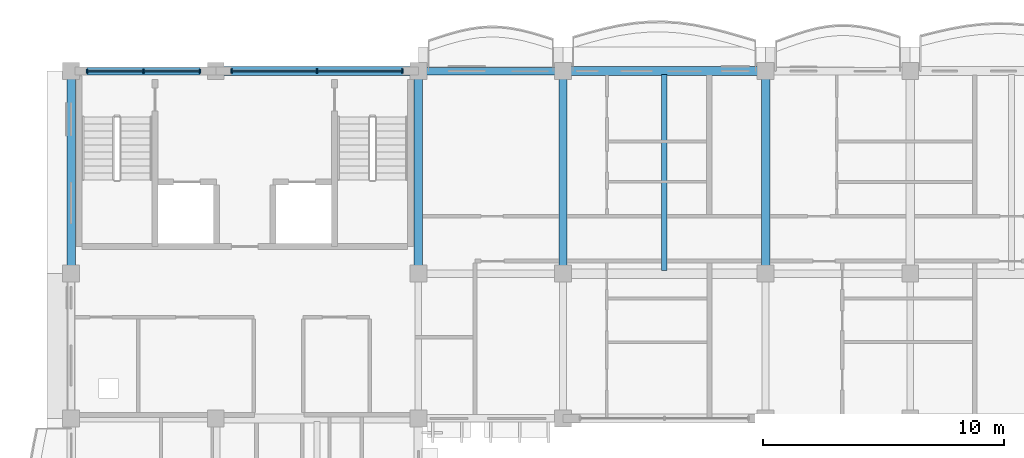
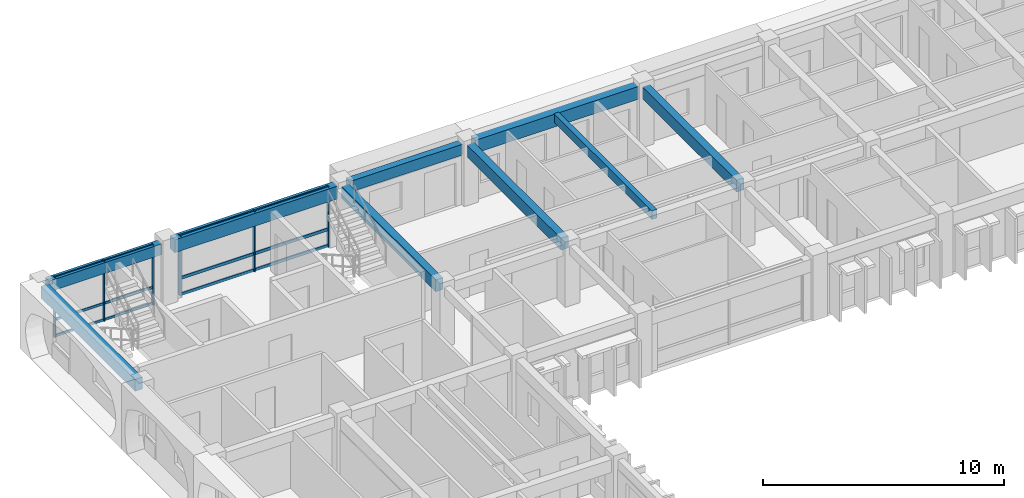
# One storey, part 9 of 76: 12 members, 9 beams, 2 elements without a shape of their own.
"""IFC4 building model written with IfcOpenShell, lengths in metres."""

from ifc_helpers import new_model, si_unit, direction, frame, origin, origin_2d, place, context, subcontext, project, spatial, rectangle, extrude, material, material_profile, profile_set, type_object, element, aggregate, save


model = new_model("IFC4")

# Units and contexts
model_context = context("Model", 3, precision=1e-05, world=origin(), true_north=direction((0.0, 1.0)))
body_context = subcontext(model_context, "Body", "Model", "MODEL_VIEW")
ifc_project = project(units=[si_unit("LENGTHUNIT", "METRE"), si_unit("AREAUNIT", "SQUARE_METRE"), si_unit("VOLUMEUNIT", "CUBIC_METRE"), si_unit("PLANEANGLEUNIT", "RADIAN"), si_unit("MASSUNIT", "GRAM", prefix="KILO"), si_unit("THERMODYNAMICTEMPERATUREUNIT", "KELVIN")], contexts=[model_context])

# Site, building, storey
site_placement = place(None, origin())
site = spatial("IfcSite", under=ifc_project, at=site_placement, CompositionType="ELEMENT")
building_placement = place(site_placement, origin())
building = spatial("IfcBuilding", under=site, at=building_placement, Name="Thalorik Housing Commons", CompositionType="ELEMENT")
storey_placement = place(building_placement, frame((0.0, 0.0, 18.0)))
storey = spatial("IfcBuildingStorey", under=building, at=storey_placement, Name="L05", CompositionType="ELEMENT", Elevation=18.0)

# Curtain wall, members
ifc_material_1 = material(Name="Anodised aluminium and solar-control low-E glass", Category="aluminium")
curtain_wall_type = type_object("IfcCurtainWallType", Name="ARC-CW-CORE", PredefinedType="USERDEFINED", material=ifc_material_1)
curtain_wall_1_placement = place(storey_placement, origin())
curtain_wall_1 = element("IfcCurtainWall", 1, at=curtain_wall_1_placement, inside=storey, type_object=curtain_wall_type, Name="L05 Curtain Wall CW-CORE-L05-A-024", ObjectType="CURTAIN WALL", PredefinedType="USERDEFINED")
ifc_material_2 = material(Name="Anodised aluminium 6063-T6", Category="aluminium")
ifc_material_profile_1 = material_profile(ifc_material_2, rectangle(XDim=0.06005859375, YDim=0.159912109375, at=origin_2d()), Name="ALU MUL 60x160", Category="aluminium")
ifc_profile_set_1 = profile_set([ifc_material_profile_1], Name="Anodised aluminium 6063-T6")
member_type_1 = type_object("IfcMemberType", Name="ARC-CW-MUL-60x160", PredefinedType="MULLION", material=ifc_profile_set_1)
member_1_placement = place(storey_placement, frame((13.75, 123.60009765625, 0.0), z_axis=(0.0, 0.0, 1.0), x_axis=(-1.0, 0.0, 0.0)))
member_1 = element("IfcMember", 2, at=member_1_placement, type_object=member_type_1, Name="CW-CORE-L05-A-024 Mullion 1", PredefinedType="MULLION", context=body_context, shape_type="SweptSolid", body=[
    extrude(rectangle(XDim=0.06005859375, YDim=0.159912109375, at=origin_2d()), origin(), (0.0, 0.0, 1.0), 3.0400390625),
])
member_2_placement = place(storey_placement, frame((11.39990234375, 123.60009765625, 0.0), z_axis=(0.0, 0.0, 1.0), x_axis=(-1.0, 0.0, 0.0)))
member_2 = element("IfcMember", 3, at=member_2_placement, type_object=member_type_1, Name="CW-CORE-L05-A-024 Mullion 2", PredefinedType="MULLION", context=body_context, shape_type="SweptSolid", body=[
    extrude(rectangle(XDim=0.06005859375, YDim=0.159912109375, at=origin_2d()), origin(), (0.0, 0.0, 1.0), 3.0400390625),
])
member_3_placement = place(storey_placement, frame((9.050048828125, 123.60009765625, 0.0), z_axis=(0.0, 0.0, 1.0), x_axis=(-1.0, 0.0, 0.0)))
member_3 = element("IfcMember", 4, at=member_3_placement, type_object=member_type_1, Name="CW-CORE-L05-A-024 Mullion 3", PredefinedType="MULLION", context=body_context, shape_type="SweptSolid", body=[
    extrude(rectangle(XDim=0.06005859375, YDim=0.159912109375, at=origin_2d()), origin(), (0.0, 0.0, 1.0), 3.0400390625),
])

curtain_wall_2_placement = place(storey_placement, origin())
curtain_wall_2 = element("IfcCurtainWall", 5, at=curtain_wall_2_placement, inside=storey, type_object=curtain_wall_type, Name="L05 Curtain Wall CW-CORE-L05-A-023", ObjectType="CURTAIN WALL", PredefinedType="USERDEFINED")
ifc_material_profile_2 = material_profile(ifc_material_2, rectangle(XDim=0.06494140625, YDim=0.179931640625, at=origin_2d()), Name="ALU MUL 65x180", Category="aluminium")
ifc_profile_set_2 = profile_set([ifc_material_profile_2], Name="Anodised aluminium 6063-T6")
member_type_2 = type_object("IfcMemberType", Name="ARC-CW-MUL-65x180", PredefinedType="MULLION", material=ifc_profile_set_2)
member_4_placement = place(storey_placement, frame((22.14990234375, 123.60009765625, 0.0), z_axis=(0.0, 0.0, 1.0), x_axis=(-1.0, 0.0, 0.0)))
member_4 = element("IfcMember", 6, at=member_4_placement, type_object=member_type_2, Name="CW-CORE-L05-A-023 Mullion 1", PredefinedType="MULLION", context=body_context, shape_type="SweptSolid", body=[
    extrude(rectangle(XDim=0.06494140625, YDim=0.179931640625, at=origin_2d()), origin(), (0.0, 0.0, 1.0), 3.0400390625),
])
member_5_placement = place(storey_placement, frame((18.60009765625, 123.60009765625, 0.0), z_axis=(0.0, 0.0, 1.0), x_axis=(-1.0, 0.0, 0.0)))
member_5 = element("IfcMember", 7, at=member_5_placement, type_object=member_type_2, Name="CW-CORE-L05-A-023 Mullion 2", PredefinedType="MULLION", context=body_context, shape_type="SweptSolid", body=[
    extrude(rectangle(XDim=0.06494140625, YDim=0.179931640625, at=origin_2d()), origin(), (0.0, 0.0, 1.0), 3.0400390625),
])
member_6_placement = place(storey_placement, frame((15.050048828125, 123.60009765625, 0.0), z_axis=(0.0, 0.0, 1.0), x_axis=(-1.0, 0.0, 0.0)))
member_6 = element("IfcMember", 8, at=member_6_placement, type_object=member_type_2, Name="CW-CORE-L05-A-023 Mullion 3", PredefinedType="MULLION", context=body_context, shape_type="SweptSolid", body=[
    extrude(rectangle(XDim=0.06494140625, YDim=0.179931640625, at=origin_2d()), origin(), (0.0, 0.0, 1.0), 3.0400390625),
])

# Member
ifc_material_profile_3 = material_profile(ifc_material_2, rectangle(XDim=0.06005859375, YDim=0.1201171875, at=origin_2d()), Name="ALU TRN 60x120", Category="aluminium")
ifc_profile_set_3 = profile_set([ifc_material_profile_3], Name="Anodised aluminium 6063-T6")
member_type_3 = type_object("IfcMemberType", Name="ARC-CW-TRN-60x120", PredefinedType="USERDEFINED", material=ifc_profile_set_3)
member_7_placement = place(storey_placement, frame((13.75, 123.60009765625, 0.054931640625), z_axis=(-1.0, 0.0, 0.0), x_axis=(0.0, -1.0, 0.0)))
member_7 = element("IfcMember", 9, at=member_7_placement, type_object=member_type_3, Name="CW-CORE-L05-A-024 Transom 1", ObjectType="TRANSOM", PredefinedType="USERDEFINED", context=body_context, shape_type="SweptSolid", body=[
    extrude(rectangle(XDim=0.06005859375, YDim=0.1201171875, at=origin_2d()), origin(), (0.0, 0.0, 1.0), 4.699951171875),
])

member_8_placement = place(storey_placement, frame((13.75, 123.60009765625, 0.8798828125), z_axis=(-1.0, 0.0, 0.0), x_axis=(0.0, -1.0, 0.0)))
member_8 = element("IfcMember", 10, at=member_8_placement, type_object=member_type_3, Name="CW-CORE-L05-A-024 Transom 2", ObjectType="TRANSOM", PredefinedType="USERDEFINED", context=body_context, shape_type="SweptSolid", body=[
    extrude(rectangle(XDim=0.06005859375, YDim=0.1201171875, at=origin_2d()), origin(), (0.0, 0.0, 1.0), 4.699951171875),
])

member_9_placement = place(storey_placement, frame((13.75, 123.60009765625, 2.985107421875), z_axis=(-1.0, 0.0, 0.0), x_axis=(0.0, -1.0, 0.0)))
member_9 = element("IfcMember", 11, at=member_9_placement, type_object=member_type_3, Name="CW-CORE-L05-A-024 Transom 3", ObjectType="TRANSOM", PredefinedType="USERDEFINED", context=body_context, shape_type="SweptSolid", body=[
    extrude(rectangle(XDim=0.06005859375, YDim=0.1201171875, at=origin_2d()), origin(), (0.0, 0.0, 1.0), 4.699951171875),
])

aggregate(curtain_wall_1, [member_1, member_2, member_3, member_7, member_8, member_9])

ifc_material_profile_4 = material_profile(ifc_material_2, rectangle(XDim=0.06494140625, YDim=0.14990234375, at=origin_2d()), Name="ALU TRN 65x150", Category="aluminium")
ifc_profile_set_4 = profile_set([ifc_material_profile_4], Name="Anodised aluminium 6063-T6")
member_type_4 = type_object("IfcMemberType", Name="ARC-CW-TRN-65x150", PredefinedType="USERDEFINED", material=ifc_profile_set_4)
member_10_placement = place(storey_placement, frame((22.14990234375, 123.60009765625, 0.054931640625), z_axis=(-1.0, 0.0, 0.0), x_axis=(0.0, -1.0, 0.0)))
member_10 = element("IfcMember", 12, at=member_10_placement, type_object=member_type_4, Name="CW-CORE-L05-A-023 Transom 1", ObjectType="TRANSOM", PredefinedType="USERDEFINED", context=body_context, shape_type="SweptSolid", body=[
    extrude(rectangle(XDim=0.06494140625, YDim=0.14990234375, at=origin_2d()), origin(), (0.0, 0.0, 1.0), 7.099853515625),
])

member_11_placement = place(storey_placement, frame((22.14990234375, 123.60009765625, 0.8798828125), z_axis=(-1.0, 0.0, 0.0), x_axis=(0.0, -1.0, 0.0)))
member_11 = element("IfcMember", 13, at=member_11_placement, type_object=member_type_4, Name="CW-CORE-L05-A-023 Transom 2", ObjectType="TRANSOM", PredefinedType="USERDEFINED", context=body_context, shape_type="SweptSolid", body=[
    extrude(rectangle(XDim=0.06494140625, YDim=0.14990234375, at=origin_2d()), origin(), (0.0, 0.0, 1.0), 7.099853515625),
])

member_12_placement = place(storey_placement, frame((22.14990234375, 123.60009765625, 2.985107421875), z_axis=(-1.0, 0.0, 0.0), x_axis=(0.0, -1.0, 0.0)))
member_12 = element("IfcMember", 14, at=member_12_placement, type_object=member_type_4, Name="CW-CORE-L05-A-023 Transom 3", ObjectType="TRANSOM", PredefinedType="USERDEFINED", context=body_context, shape_type="SweptSolid", body=[
    extrude(rectangle(XDim=0.06494140625, YDim=0.14990234375, at=origin_2d()), origin(), (0.0, 0.0, 1.0), 7.099853515625),
])

aggregate(curtain_wall_2, [member_4, member_5, member_6, member_10, member_11, member_12])

# Beams
ifc_material_3 = material(Name="Precast concrete C40/50", Category="concrete")
ifc_material_profile_5 = material_profile(ifc_material_3, rectangle(XDim=0.320068359375, YDim=0.550048828125, at=origin_2d()), Name="PC 320x550", Category="concrete")
ifc_profile_set_5 = profile_set([ifc_material_profile_5], Name="Precast concrete C40/50")
beam_type_1 = type_object("IfcBeamType", Name="STR-BM-PC320x550", PredefinedType="BEAM", material=ifc_profile_set_5)
beam_1_placement = place(storey_placement, frame((8.699951171875, 123.60009765625, 2.764892578125), z_axis=(1.0, 0.0, 0.0), x_axis=(0.0, 1.0, 0.0)))
element("IfcBeam", 15, at=beam_1_placement, inside=storey, type_object=beam_type_1, Name="L05 Beam B-550", PredefinedType="BEAM", context=body_context, shape_type="SweptSolid", body=[
    extrude(rectangle(XDim=0.320068359375, YDim=0.550048828125, at=origin_2d()), origin(), (0.0, 0.0, 1.0), 5.400146484375),
])
beam_2_placement = place(storey_placement, frame((23.10009765625, 123.60009765625, 2.764892578125), z_axis=(1.0, 0.0, 0.0), x_axis=(0.0, 1.0, 0.0)))
element("IfcBeam", 16, at=beam_2_placement, inside=storey, type_object=beam_type_1, Name="L05 Beam B-550", PredefinedType="BEAM", context=body_context, shape_type="SweptSolid", body=[
    extrude(rectangle(XDim=0.320068359375, YDim=0.550048828125, at=origin_2d()), origin(), (0.0, 0.0, 1.0), 5.39990234375),
])
ifc_material_profile_6 = material_profile(ifc_material_3, rectangle(XDim=0.35009765625, YDim=0.60009765625, at=origin_2d()), Name="PC 350x600", Category="concrete")
ifc_profile_set_6 = profile_set([ifc_material_profile_6], Name="Precast concrete C40/50")
beam_type_2 = type_object("IfcBeamType", Name="STR-BM-PC350x600", PredefinedType="BEAM", material=ifc_profile_set_6)
for number, where, z_axis, x_axis, name in (
    (17, (8.39990234375, 115.5, 2.739990234375), (0.0, 1.0, 0.0), (-1.0, 0.0, 0.0), "L05 Beam B-600"),
    (18, (22.800048828125, 115.5, 2.739990234375), (0.0, 1.0, 0.0), (-1.0, 0.0, 0.0), "L05 Beam B-600"),
    (19, (28.800048828125, 115.5, 2.739990234375), (0.0, 1.0, 0.0), (-1.0, 0.0, 0.0), "L05 Beam B-600"),
    (20, (37.199951171875, 115.5, 2.739990234375), (0.0, 1.0, 0.0), (-1.0, 0.0, 0.0), "L05 Beam B-600"),
):
    element("IfcBeam", number, at=place(storey_placement, frame(where, z_axis=z_axis, x_axis=x_axis)), inside=storey, type_object=beam_type_2, Name=name, PredefinedType="BEAM", context=body_context, shape_type="SweptSolid", body=[
        extrude(rectangle(XDim=0.35009765625, YDim=0.60009765625, at=origin_2d()), origin(), (0.0, 0.0, 1.0), 7.800048828125),
    ])
ifc_material_profile_7 = material_profile(ifc_material_3, rectangle(XDim=0.3798828125, YDim=0.64990234375, at=origin_2d()), Name="PC 380x650", Category="concrete")
ifc_profile_set_7 = profile_set([ifc_material_profile_7], Name="Precast concrete C40/50")
beam_type_3 = type_object("IfcBeamType", Name="STR-BM-PC380x650", PredefinedType="BEAM", material=ifc_profile_set_7)
beam_3_placement = place(storey_placement, frame((14.699951171875, 123.60009765625, 2.715087890625), z_axis=(1.0, 0.0, 0.0), x_axis=(0.0, 1.0, 0.0)))
element("IfcBeam", 21, at=beam_3_placement, inside=storey, type_object=beam_type_3, Name="L05 Beam B-650", PredefinedType="BEAM", context=body_context, shape_type="SweptSolid", body=[
    extrude(rectangle(XDim=0.3798828125, YDim=0.64990234375, at=origin_2d()), origin(), (0.0, 0.0, 1.0), 7.800048828125),
])
beam_4_placement = place(storey_placement, frame((29.10009765625, 123.60009765625, 2.715087890625), z_axis=(1.0, 0.0, 0.0), x_axis=(0.0, 1.0, 0.0)))
element("IfcBeam", 22, at=beam_4_placement, inside=storey, type_object=beam_type_3, Name="L05 Beam B-650", PredefinedType="BEAM", context=body_context, shape_type="SweptSolid", body=[
    extrude(rectangle(XDim=0.3798828125, YDim=0.64990234375, at=origin_2d()), origin(), (0.0, 0.0, 1.0), 7.7998046875),
])
ifc_material_profile_8 = material_profile(ifc_material_3, rectangle(XDim=0.239990234375, YDim=0.43994140625, at=origin_2d()), Name="PC JST 240x440", Category="concrete")
ifc_profile_set_8 = profile_set([ifc_material_profile_8], Name="Precast concrete C40/50")
beam_type_4 = type_object("IfcBeamType", Name="STR-JST-PC240x440", PredefinedType="JOIST", material=ifc_profile_set_8)
beam_5_placement = place(storey_placement, frame((33.0, 115.340087890625, 2.820068359375), z_axis=(0.0, 1.0, 0.0), x_axis=(-1.0, 0.0, 0.0)))
element("IfcBeam", 23, at=beam_5_placement, inside=storey, type_object=beam_type_4, Name="L05 Beam J-440", PredefinedType="JOIST", context=body_context, shape_type="SweptSolid", body=[
    extrude(rectangle(XDim=0.239990234375, YDim=0.43994140625, at=origin_2d()), origin(), (0.0, 0.0, 1.0), 8.119873046875),
])

save(model, "model.ifc")
